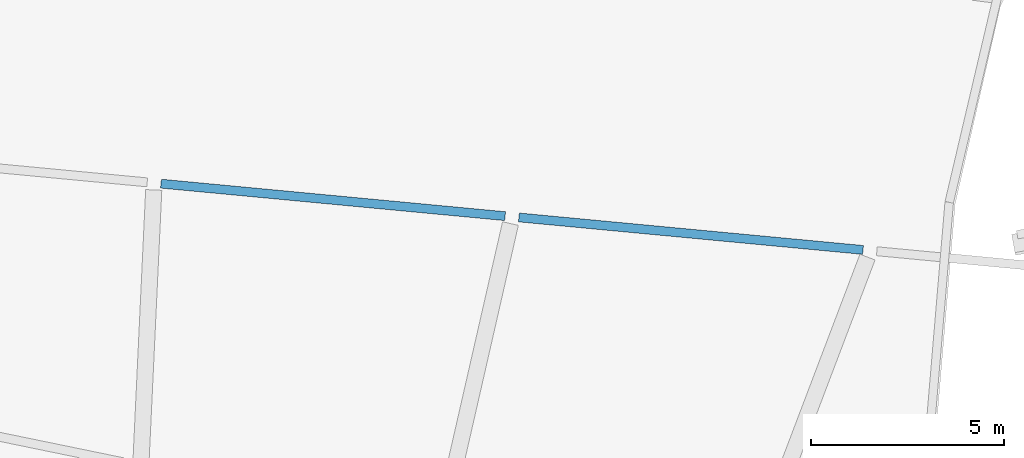
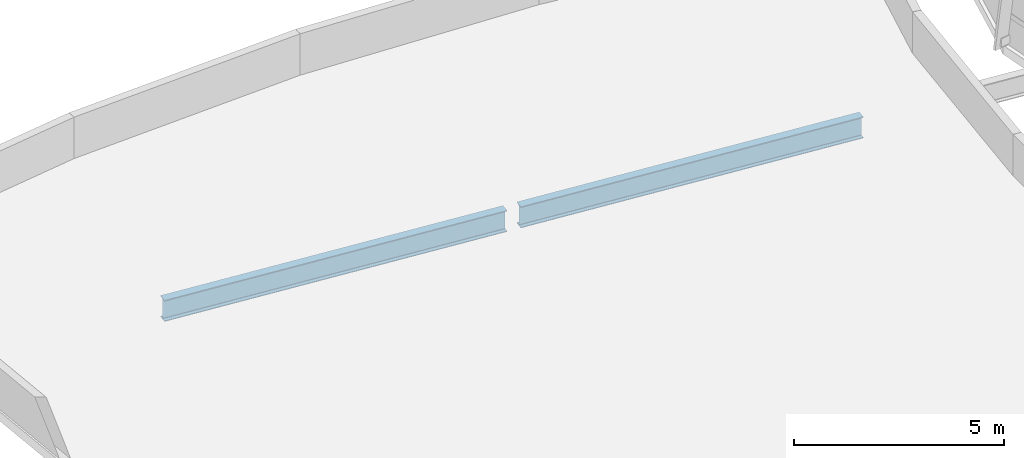
# One storey, part 11 of 31: 2 beams.
"""IFC4 building model written with IfcOpenShell, lengths in metres."""

from ifc_helpers import new_model, si_unit, direction, frame, origin, origin_2d, place, context, subcontext, project, spatial, i_section, extrude, material, material_profile, profile_set, type_object, element, save


model = new_model("IFC4")

# Units and contexts
model_context = context("Model", 3, precision=1e-05, world=origin(), true_north=direction((0.0, 1.0)))
body_context = subcontext(model_context, "Body", "Model", "MODEL_VIEW")
ifc_project = project(units=[si_unit("LENGTHUNIT", "METRE"), si_unit("AREAUNIT", "SQUARE_METRE"), si_unit("VOLUMEUNIT", "CUBIC_METRE"), si_unit("PLANEANGLEUNIT", "RADIAN"), si_unit("MASSUNIT", "GRAM", prefix="KILO"), si_unit("THERMODYNAMICTEMPERATUREUNIT", "KELVIN"), si_unit("POWERUNIT", "WATT")], contexts=[model_context])

# Site, building, storey
site_placement = place(None, origin())
site = spatial("IfcSite", under=ifc_project, at=site_placement, CompositionType="ELEMENT")
building_placement = place(site_placement, origin())
building = spatial("IfcBuilding", under=site, at=building_placement, Name="Cundina Bronze Exchange", CompositionType="ELEMENT")
storey_placement = place(building_placement, frame((0.0, 0.0, 275.60009765625)))
storey = spatial("IfcBuildingStorey", under=building, at=storey_placement, Name="L73", CompositionType="ELEMENT", Elevation=275.60009765625)

# Beams
ifc_material = material(Name="Steel ASTM A992 Grade 50", Category="steel")
ifc_material_profile = material_profile(ifc_material, i_section(OverallWidth=0.22998046875, OverallDepth=0.616943359375, WebThickness=0.01318359375, FlangeThickness=0.022216796875, FilletRadius=0.013916015625, at=origin_2d()), Name="W24X94", Category="steel")
ifc_profile_set = profile_set([ifc_material_profile], Name="Steel ASTM A992 Grade 50")
beam_type = type_object("IfcBeamType", Name="BM-FLR-W24B", PredefinedType="BEAM", material=ifc_profile_set)
beam_1_placement = place(storey_placement, frame((-7.251953125, 8.908203125, -0.57861328125), z_axis=(0.995571895232, -0.094003199007, 0.0), x_axis=(0.094003199007, 0.995571895232, 0.0)))
element("IfcBeam", 1, at=beam_1_placement, inside=storey, type_object=beam_type, Name="L73 Sky-Gate Longitudinal Girder Y3-P2", PredefinedType="BEAM", context=body_context, shape_type="SweptSolid", body=[
    extrude(i_section(OverallWidth=0.22998046875, OverallDepth=0.616943359375, WebThickness=0.01318359375, FlangeThickness=0.022216796875, FilletRadius=0.013916015625, at=origin_2d()), origin(), (0.0, 0.0, 1.0), 8.94970703125),
])
beam_2_placement = place(storey_placement, frame((2.0166015625, 8.033203125, -0.57861328125), z_axis=(0.995572136276, -0.094000646124, 0.0), x_axis=(0.094000646124, 0.995572136276, 0.0)))
element("IfcBeam", 2, at=beam_2_placement, inside=storey, type_object=beam_type, Name="L73 Sky-Gate Longitudinal Girder Y3-P3", PredefinedType="BEAM", context=body_context, shape_type="SweptSolid", body=[
    extrude(i_section(OverallWidth=0.22998046875, OverallDepth=0.616943359375, WebThickness=0.01318359375, FlangeThickness=0.022216796875, FilletRadius=0.013916015625, at=origin_2d()), origin(), (0.0, 0.0, 1.0), 8.949951171875),
])

save(model, "model.ifc")
